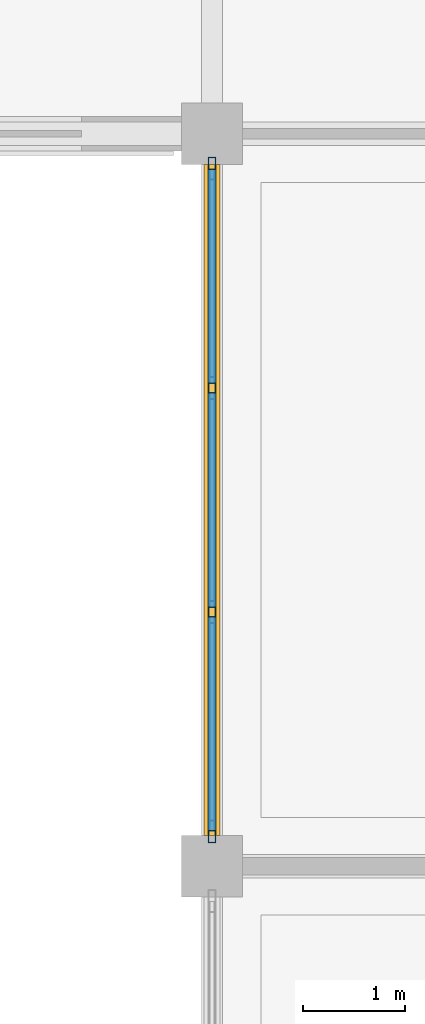
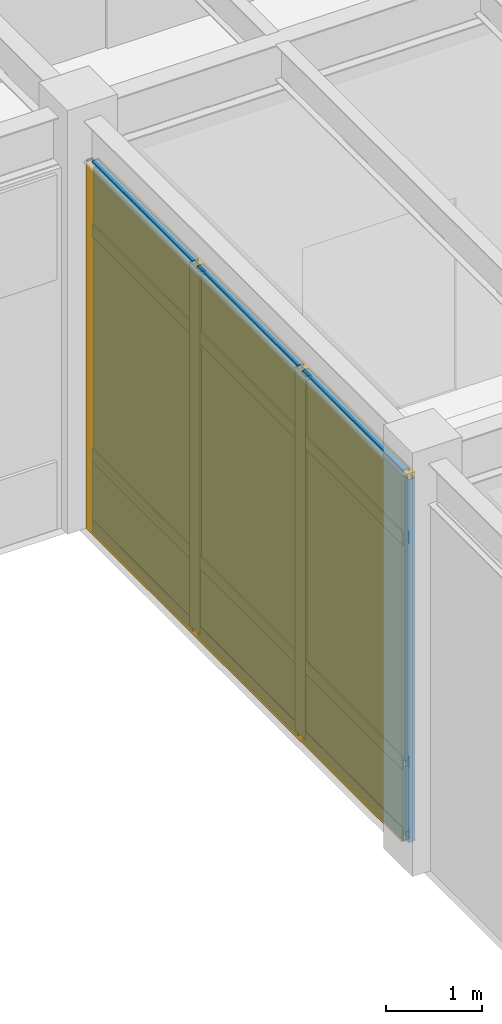
# One storey, part 51 of 97: 16 members, 6 plates, 1 curtain wall.
"""IFC4 building model written with IfcOpenShell, lengths in metres."""

from ifc_helpers import new_model, si_unit, direction, frame, origin, origin_2d, place, context, subcontext, project, spatial, rectangle, hollow_rectangle, extrude, material, layer, layer_set, material_profile, profile_set, type_object, element, aggregate, save


model = new_model("IFC4")

# Units and contexts
model_context = context("Model", 3, precision=1e-05, world=origin(), true_north=direction((0.0, 1.0)))
body_context = subcontext(model_context, "Body", "Model", "MODEL_VIEW")
ifc_project = project(units=[si_unit("LENGTHUNIT", "METRE"), si_unit("AREAUNIT", "SQUARE_METRE"), si_unit("VOLUMEUNIT", "CUBIC_METRE"), si_unit("PLANEANGLEUNIT", "RADIAN"), si_unit("MASSUNIT", "GRAM", prefix="KILO")], contexts=[model_context])

# Member
ifc_material_1 = material(Name="Anodized Aluminium 6063-T6", Category="aluminium")
ifc_material_profile_1 = material_profile(ifc_material_1, hollow_rectangle(XDim=0.074951171875, YDim=0.219970703125, WallThickness=0.0048828125, at=origin_2d()), Name="ALU 75x220x5")
ifc_profile_set_1 = profile_set([ifc_material_profile_1], Name="Anodized Aluminium 6063-T6")
member_type_1 = type_object("IfcMemberType", Name="CWM-75X180", PredefinedType="MULLION", material=ifc_profile_set_1)
site_placement = place(None, origin())
building_placement = place(site_placement, origin())
storey_placement = place(building_placement, origin())
member_1_placement = place(storey_placement, frame((64.800048828125, 29.139892578125, 0.02001953125), z_axis=(0.0, 0.0, 1.0), x_axis=(1.0, 0.0, 0.0)))
member_1 = element("IfcMember", 1, at=member_1_placement, type_object=member_type_1, Name="Curtain wall mullion CW-L01-09-04-W-00", PredefinedType="MULLION", context=body_context, shape_type="SweptSolid", body=[
    extrude(hollow_rectangle(XDim=0.074951171875, YDim=0.219970703125, WallThickness=0.0048828125, at=origin_2d()), origin(), (0.0, 0.0, 1.0), 4.626953125),
])

member_2_placement = place(storey_placement, frame((64.800048828125, 31.300048828125, 0.02001953125), z_axis=(0.0, 0.0, 1.0), x_axis=(1.0, 0.0, 0.0)))
member_2 = element("IfcMember", 2, at=member_2_placement, type_object=member_type_1, Name="Curtain wall mullion CW-L01-09-04-W-01", PredefinedType="MULLION", context=body_context, shape_type="SweptSolid", body=[
    extrude(hollow_rectangle(XDim=0.074951171875, YDim=0.219970703125, WallThickness=0.0048828125, at=origin_2d()), origin(), (0.0, 0.0, 1.0), 4.626953125),
])

member_3_placement = place(storey_placement, frame((64.800048828125, 33.5, 0.02001953125), z_axis=(0.0, 0.0, 1.0), x_axis=(1.0, 0.0, 0.0)))
member_3 = element("IfcMember", 3, at=member_3_placement, type_object=member_type_1, Name="Curtain wall mullion CW-L01-09-04-W-02", PredefinedType="MULLION", context=body_context, shape_type="SweptSolid", body=[
    extrude(hollow_rectangle(XDim=0.074951171875, YDim=0.219970703125, WallThickness=0.0048828125, at=origin_2d()), origin(), (0.0, 0.0, 1.0), 4.626953125),
])

member_4_placement = place(storey_placement, frame((64.800048828125, 35.659912109375, 0.02001953125), z_axis=(0.0, 0.0, 1.0), x_axis=(1.0, 0.0, 0.0)))
member_4 = element("IfcMember", 4, at=member_4_placement, type_object=member_type_1, Name="Curtain wall mullion CW-L01-09-04-W-03", PredefinedType="MULLION", context=body_context, shape_type="SweptSolid", body=[
    extrude(hollow_rectangle(XDim=0.074951171875, YDim=0.219970703125, WallThickness=0.0048828125, at=origin_2d()), origin(), (0.0, 0.0, 1.0), 4.626953125),
])

ifc_material_profile_2 = material_profile(ifc_material_1, hollow_rectangle(XDim=0.074951171875, YDim=0.159912109375, WallThickness=0.00390625, at=origin_2d()), Name="ALU 75x160x4")
ifc_profile_set_2 = profile_set([ifc_material_profile_2], Name="Anodized Aluminium 6063-T6")
member_type_2 = type_object("IfcMemberType", Name="CWT-75X150", PredefinedType="USERDEFINED", material=ifc_profile_set_2)
member_5_placement = place(storey_placement, frame((64.800048828125, 29.14990234375, 0.050048828125), z_axis=(0.0, 1.0, 0.0), x_axis=(-1.0, 0.0, 0.0)))
member_5 = element("IfcMember", 5, at=member_5_placement, type_object=member_type_2, Name="Curtain wall transom CW-L01-09-04-W-1.01", ObjectType="TRANSOM", PredefinedType="USERDEFINED", context=body_context, shape_type="SweptSolid", body=[
    extrude(hollow_rectangle(XDim=0.074951171875, YDim=0.159912109375, WallThickness=0.00390625, at=origin_2d()), origin(), (0.0, 0.0, 1.0), 2.10009765625),
])

member_6_placement = place(storey_placement, frame((64.800048828125, 31.35009765625, 0.050048828125), z_axis=(0.0, 1.0, 0.0), x_axis=(-1.0, 0.0, 0.0)))
member_6 = element("IfcMember", 6, at=member_6_placement, type_object=member_type_2, Name="Curtain wall transom CW-L01-09-04-W-1.02", ObjectType="TRANSOM", PredefinedType="USERDEFINED", context=body_context, shape_type="SweptSolid", body=[
    extrude(hollow_rectangle(XDim=0.074951171875, YDim=0.159912109375, WallThickness=0.00390625, at=origin_2d()), origin(), (0.0, 0.0, 1.0), 2.099853515625),
])

member_7_placement = place(storey_placement, frame((64.800048828125, 33.550048828125, 0.050048828125), z_axis=(0.0, 1.0, 0.0), x_axis=(-1.0, 0.0, 0.0)))
member_7 = element("IfcMember", 7, at=member_7_placement, type_object=member_type_2, Name="Curtain wall transom CW-L01-09-04-W-1.03", ObjectType="TRANSOM", PredefinedType="USERDEFINED", context=body_context, shape_type="SweptSolid", body=[
    extrude(hollow_rectangle(XDim=0.074951171875, YDim=0.159912109375, WallThickness=0.00390625, at=origin_2d()), origin(), (0.0, 0.0, 1.0), 2.099853515625),
])

member_8_placement = place(storey_placement, frame((64.800048828125, 29.14990234375, 0.949951171875), z_axis=(0.0, 1.0, 0.0), x_axis=(-1.0, 0.0, 0.0)))
member_8 = element("IfcMember", 8, at=member_8_placement, type_object=member_type_2, Name="Curtain wall transom CW-L01-09-04-W-2.01", ObjectType="TRANSOM", PredefinedType="USERDEFINED", context=body_context, shape_type="SweptSolid", body=[
    extrude(hollow_rectangle(XDim=0.074951171875, YDim=0.159912109375, WallThickness=0.00390625, at=origin_2d()), origin(), (0.0, 0.0, 1.0), 2.10009765625),
])

member_9_placement = place(storey_placement, frame((64.800048828125, 31.35009765625, 0.949951171875), z_axis=(0.0, 1.0, 0.0), x_axis=(-1.0, 0.0, 0.0)))
member_9 = element("IfcMember", 9, at=member_9_placement, type_object=member_type_2, Name="Curtain wall transom CW-L01-09-04-W-2.02", ObjectType="TRANSOM", PredefinedType="USERDEFINED", context=body_context, shape_type="SweptSolid", body=[
    extrude(hollow_rectangle(XDim=0.074951171875, YDim=0.159912109375, WallThickness=0.00390625, at=origin_2d()), origin(), (0.0, 0.0, 1.0), 2.099853515625),
])

member_10_placement = place(storey_placement, frame((64.800048828125, 33.550048828125, 0.949951171875), z_axis=(0.0, 1.0, 0.0), x_axis=(-1.0, 0.0, 0.0)))
member_10 = element("IfcMember", 10, at=member_10_placement, type_object=member_type_2, Name="Curtain wall transom CW-L01-09-04-W-2.03", ObjectType="TRANSOM", PredefinedType="USERDEFINED", context=body_context, shape_type="SweptSolid", body=[
    extrude(hollow_rectangle(XDim=0.074951171875, YDim=0.159912109375, WallThickness=0.00390625, at=origin_2d()), origin(), (0.0, 0.0, 1.0), 2.099853515625),
])

member_11_placement = place(storey_placement, frame((64.800048828125, 29.14990234375, 3.81689453125), z_axis=(0.0, 1.0, 0.0), x_axis=(-1.0, 0.0, 0.0)))
member_11 = element("IfcMember", 11, at=member_11_placement, type_object=member_type_2, Name="Curtain wall transom CW-L01-09-04-W-3.01", ObjectType="TRANSOM", PredefinedType="USERDEFINED", context=body_context, shape_type="SweptSolid", body=[
    extrude(hollow_rectangle(XDim=0.074951171875, YDim=0.159912109375, WallThickness=0.00390625, at=origin_2d()), origin(), (0.0, 0.0, 1.0), 2.10009765625),
])

member_12_placement = place(storey_placement, frame((64.800048828125, 31.35009765625, 3.81689453125), z_axis=(0.0, 1.0, 0.0), x_axis=(-1.0, 0.0, 0.0)))
member_12 = element("IfcMember", 12, at=member_12_placement, type_object=member_type_2, Name="Curtain wall transom CW-L01-09-04-W-3.02", ObjectType="TRANSOM", PredefinedType="USERDEFINED", context=body_context, shape_type="SweptSolid", body=[
    extrude(hollow_rectangle(XDim=0.074951171875, YDim=0.159912109375, WallThickness=0.00390625, at=origin_2d()), origin(), (0.0, 0.0, 1.0), 2.099853515625),
])

member_13_placement = place(storey_placement, frame((64.800048828125, 33.550048828125, 3.81689453125), z_axis=(0.0, 1.0, 0.0), x_axis=(-1.0, 0.0, 0.0)))
member_13 = element("IfcMember", 13, at=member_13_placement, type_object=member_type_2, Name="Curtain wall transom CW-L01-09-04-W-3.03", ObjectType="TRANSOM", PredefinedType="USERDEFINED", context=body_context, shape_type="SweptSolid", body=[
    extrude(hollow_rectangle(XDim=0.074951171875, YDim=0.159912109375, WallThickness=0.00390625, at=origin_2d()), origin(), (0.0, 0.0, 1.0), 2.099853515625),
])

member_14_placement = place(storey_placement, frame((64.800048828125, 29.14990234375, 4.616943359375), z_axis=(0.0, 1.0, 0.0), x_axis=(-1.0, 0.0, 0.0)))
member_14 = element("IfcMember", 14, at=member_14_placement, type_object=member_type_2, Name="Curtain wall transom CW-L01-09-04-W-4.01", ObjectType="TRANSOM", PredefinedType="USERDEFINED", context=body_context, shape_type="SweptSolid", body=[
    extrude(hollow_rectangle(XDim=0.074951171875, YDim=0.159912109375, WallThickness=0.00390625, at=origin_2d()), origin(), (0.0, 0.0, 1.0), 2.10009765625),
])

member_15_placement = place(storey_placement, frame((64.800048828125, 31.35009765625, 4.616943359375), z_axis=(0.0, 1.0, 0.0), x_axis=(-1.0, 0.0, 0.0)))
member_15 = element("IfcMember", 15, at=member_15_placement, type_object=member_type_2, Name="Curtain wall transom CW-L01-09-04-W-4.02", ObjectType="TRANSOM", PredefinedType="USERDEFINED", context=body_context, shape_type="SweptSolid", body=[
    extrude(hollow_rectangle(XDim=0.074951171875, YDim=0.159912109375, WallThickness=0.00390625, at=origin_2d()), origin(), (0.0, 0.0, 1.0), 2.099853515625),
])

member_16_placement = place(storey_placement, frame((64.800048828125, 33.550048828125, 4.616943359375), z_axis=(0.0, 1.0, 0.0), x_axis=(-1.0, 0.0, 0.0)))
member_16 = element("IfcMember", 16, at=member_16_placement, type_object=member_type_2, Name="Curtain wall transom CW-L01-09-04-W-4.03", ObjectType="TRANSOM", PredefinedType="USERDEFINED", context=body_context, shape_type="SweptSolid", body=[
    extrude(hollow_rectangle(XDim=0.074951171875, YDim=0.159912109375, WallThickness=0.00390625, at=origin_2d()), origin(), (0.0, 0.0, 1.0), 2.099853515625),
])

# Plate
ifc_material_2 = material(Name="Acoustic Laminated Low-E Glazing", Category="glass")
ifc_layer_1 = layer(ifc_material_2, 0.0439453125)
ifc_layer_set_1 = layer_set([ifc_layer_1], Name="Acoustic Laminated Low-E Glazing")
plate_type_1 = type_object("IfcPlateType", Name="CWP-IGU-44", PredefinedType="CURTAIN_PANEL", material=ifc_layer_set_1)
plate_1_placement = place(storey_placement, frame((64.800048828125, 30.199951171875, 0.990234375), z_axis=(0.0, 0.0, 1.0), x_axis=(0.0, 1.0, 0.0)))
plate_1 = element("IfcPlate", 17, at=plate_1_placement, type_object=plate_type_1, Name="Curtain wall vision glazing CW-L01-09-04-W-01", PredefinedType="CURTAIN_PANEL", context=body_context, shape_type="SweptSolid", body=[
    extrude(rectangle(XDim=2.110107421875, YDim=0.0400390625, at=origin_2d()), origin(), (0.0, 0.0, 1.0), 3.616943359375),
])

plate_2_placement = place(storey_placement, frame((64.800048828125, 32.39990234375, 0.990234375), z_axis=(0.0, 0.0, 1.0), x_axis=(0.0, 1.0, 0.0)))
plate_2 = element("IfcPlate", 18, at=plate_2_placement, type_object=plate_type_1, Name="Curtain wall vision glazing CW-L01-09-04-W-02", PredefinedType="CURTAIN_PANEL", context=body_context, shape_type="SweptSolid", body=[
    extrude(rectangle(XDim=2.110107421875, YDim=0.0400390625, at=origin_2d()), origin(), (0.0, 0.0, 1.0), 3.616943359375),
])

plate_3_placement = place(storey_placement, frame((64.800048828125, 34.60009765625, 0.990234375), z_axis=(0.0, 0.0, 1.0), x_axis=(0.0, 1.0, 0.0)))
plate_3 = element("IfcPlate", 19, at=plate_3_placement, type_object=plate_type_1, Name="Curtain wall vision glazing CW-L01-09-04-W-03", PredefinedType="CURTAIN_PANEL", context=body_context, shape_type="SweptSolid", body=[
    extrude(rectangle(XDim=2.110107421875, YDim=0.0400390625, at=origin_2d()), origin(), (0.0, 0.0, 1.0), 3.616943359375),
])

ifc_material_3 = material(Name="Insulated Stone-Composite Spandrel", Category="masonry")
ifc_layer_2 = layer(ifc_material_3, 0.068115234375)
ifc_layer_set_2 = layer_set([ifc_layer_2], Name="Insulated Stone-Composite Spandrel")
plate_type_2 = type_object("IfcPlateType", Name="CWP-SPN-68", PredefinedType="CURTAIN_PANEL", material=ifc_layer_set_2)
plate_4_placement = place(storey_placement, frame((64.800048828125, 30.199951171875, 0.080078125), z_axis=(0.0, 0.0, 1.0), x_axis=(0.0, 1.0, 0.0)))
plate_4 = element("IfcPlate", 20, at=plate_4_placement, type_object=plate_type_2, Name="Curtain wall spandrel panel CW-L01-09-04-W-01", PredefinedType="CURTAIN_PANEL", context=body_context, shape_type="SweptSolid", body=[
    extrude(rectangle(XDim=2.110107421875, YDim=0.06005859375, at=origin_2d()), origin(), (0.0, 0.0, 1.0), 0.840087890625),
])

plate_5_placement = place(storey_placement, frame((64.800048828125, 32.39990234375, 0.080078125), z_axis=(0.0, 0.0, 1.0), x_axis=(0.0, 1.0, 0.0)))
plate_5 = element("IfcPlate", 21, at=plate_5_placement, type_object=plate_type_2, Name="Curtain wall spandrel panel CW-L01-09-04-W-02", PredefinedType="CURTAIN_PANEL", context=body_context, shape_type="SweptSolid", body=[
    extrude(rectangle(XDim=2.110107421875, YDim=0.06005859375, at=origin_2d()), origin(), (0.0, 0.0, 1.0), 0.840087890625),
])

plate_6_placement = place(storey_placement, frame((64.800048828125, 34.60009765625, 0.080078125), z_axis=(0.0, 0.0, 1.0), x_axis=(0.0, 1.0, 0.0)))
plate_6 = element("IfcPlate", 22, at=plate_6_placement, type_object=plate_type_2, Name="Curtain wall spandrel panel CW-L01-09-04-W-03", PredefinedType="CURTAIN_PANEL", context=body_context, shape_type="SweptSolid", body=[
    extrude(rectangle(XDim=2.110107421875, YDim=0.06005859375, at=origin_2d()), origin(), (0.0, 0.0, 1.0), 0.840087890625),
])

# Site, building, storey
site = spatial("IfcSite", under=ifc_project, at=site_placement, CompositionType="ELEMENT")
building = spatial("IfcBuilding", under=site, at=building_placement, Name="Sillqori Civic Hall", CompositionType="ELEMENT")
storey = spatial("IfcBuildingStorey", under=building, at=storey_placement, Name="L01", CompositionType="ELEMENT", Elevation=0.0)

# Curtain wall
ifc_material_4 = material(Name="Anodized Aluminium Curtain Wall System", Category="aluminium")
curtain_wall_type = type_object("IfcCurtainWallType", Name="CW-SF-480", PredefinedType="NOTDEFINED", material=ifc_material_4)
curtain_wall_placement = place(storey_placement, frame((64.800048828125, 32.39990234375, 0.0), z_axis=(0.0, 0.0, 1.0), x_axis=(0.0, 1.0, 0.0)))
curtain_wall = element("IfcCurtainWall", 23, at=curtain_wall_placement, inside=storey, type_object=curtain_wall_type, Name="L01 unitised curtain wall CW-L01-09-04-W", PredefinedType="NOTDEFINED", context=body_context, shape_type="SweptSolid", body=[
    extrude(rectangle(XDim=6.60009765625, YDim=0.159912109375, at=origin_2d()), origin(), (0.0, 0.0, 1.0), 4.6669921875),
])

aggregate(curtain_wall, [member_1, member_2, member_3, member_4, member_5, member_6, member_7, member_8, member_9, member_10, member_11, member_12, member_13, member_14, member_15, member_16, plate_4, plate_1, plate_5, plate_2, plate_6, plate_3])

save(model, "model.ifc")
